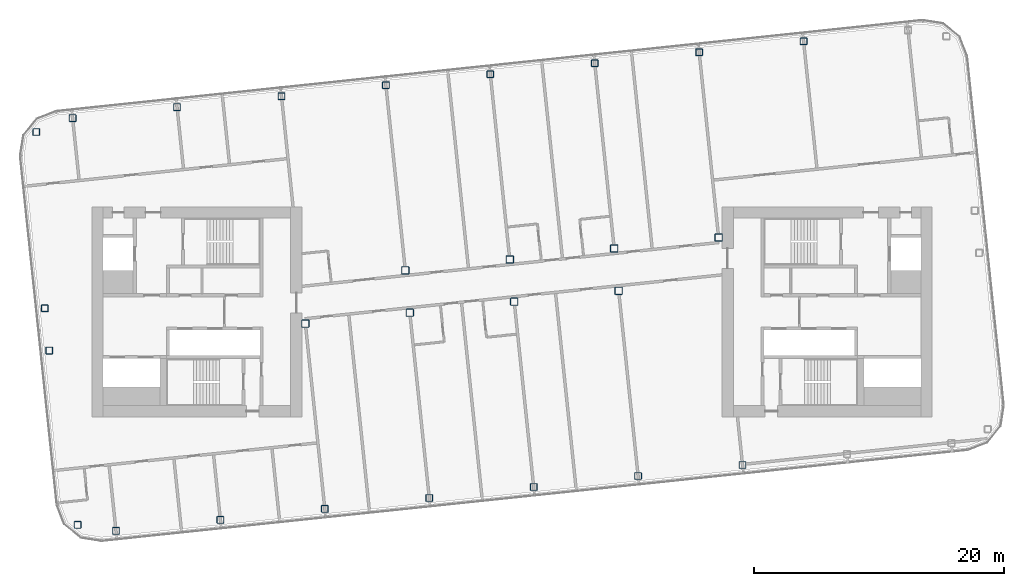
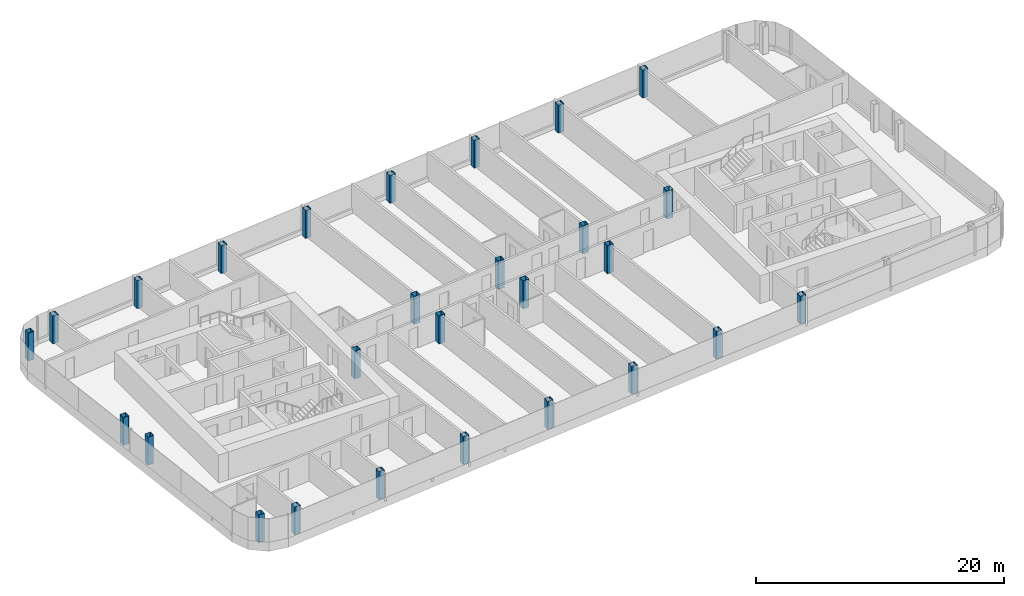
# One storey, part 1 of 27: 27 columns.
"""IFC4 building model written with IfcOpenShell, lengths in metres."""

from ifc_helpers import new_model, si_unit, direction, frame, origin, origin_2d, place, context, subcontext, project, spatial, hollow_rectangle, extrude, material, material_profile, profile_set, type_object, element, save


model = new_model("IFC4")

# Units and contexts
model_context = context("Model", 3, precision=1e-05, world=origin(), true_north=direction((0.0, 1.0)))
body_context = subcontext(model_context, "Body", "Model", "MODEL_VIEW")
ifc_project = project(units=[si_unit("LENGTHUNIT", "METRE"), si_unit("AREAUNIT", "SQUARE_METRE"), si_unit("VOLUMEUNIT", "CUBIC_METRE"), si_unit("PLANEANGLEUNIT", "RADIAN"), si_unit("MASSUNIT", "GRAM", prefix="KILO")], contexts=[model_context])

# Site, building, storey
site_placement = place(None, origin())
site = spatial("IfcSite", under=ifc_project, at=site_placement, CompositionType="ELEMENT")
building_placement = place(site_placement, origin())
building = spatial("IfcBuilding", under=site, at=building_placement, Name="Hakoniwa Tower and Hamabe Station Hall", CompositionType="ELEMENT")
storey_placement = place(building_placement, frame((0.0, 0.0, 255.0)))
storey = spatial("IfcBuildingStorey", under=building, at=storey_placement, Name="L72", CompositionType="ELEMENT", Elevation=255.0)

# Columns
ifc_material_1 = material(Name="Steel BCP325", Category="steel")
ifc_material_profile_1 = material_profile(ifc_material_1, hollow_rectangle(XDim=0.550048828125, YDim=0.550048828125, WallThickness=0.02197265625, InnerFilletRadius=0.032958984375, OuterFilletRadius=0.054931640625, at=origin_2d()), Name="BCP-550x550x22")
ifc_profile_set_1 = profile_set([ifc_material_profile_1], Name="Steel BCP325")
column_type_1 = type_object("IfcColumnType", Name="COLUMN BCP-550x550x22", PredefinedType="COLUMN", material=ifc_profile_set_1)
for number, where, z_axis, x_axis, name in (
    (1, (-34.750732421875, -17.04248046875, 0.0), (0.0, 0.0, 1.0), (1.0, 0.0, 0.0), "Column B5-EW-A5"),
    (2, (-37.017333984375, -3.10009765625, 0.0), (0.0, 0.0, 1.0), (1.0, 0.0, 0.0), "Column B5-EW-C5"),
    (3, (-37.372802734375, 0.28125, 0.0), (0.0, 0.0, 1.0), (1.0, 0.0, 0.0), "Column B5-EW-D5"),
    (4, (-38.054443359375, 14.390380859375, 0.0), (0.0, 0.0, 1.0), (1.0, 0.0, 0.0), "Column B5-EW-F5"),
    (5, (-31.680908203125, -17.521240234375, 0.0), (0.0, 0.0, 1.0), (1.0, 0.0, 0.0), "Column B5-3-A5"),
    (6, (-35.151123046875, 15.496826171875, 0.0), (0.0, 0.0, 1.0), (1.0, 0.0, 0.0), "Column B5-3-F5"),
    (7, (-23.326904296875, -16.643310546875, 0.0), (0.0, 0.0, 1.0), (1.0, 0.0, 0.0), "Column B5-4-A5"),
    (8, (-26.797119140625, 16.375, 0.0), (0.0, 0.0, 1.0), (1.0, 0.0, 0.0), "Column B5-4-F5"),
    (9, (-14.972900390625, -15.76513671875, 0.0), (0.0, 0.0, 1.0), (1.0, 0.0, 0.0), "Column B5-5-A5"),
    (10, (-18.443115234375, 17.2529296875, 0.0), (0.0, 0.0, 1.0), (1.0, 0.0, 0.0), "Column B5-5-F5"),
    (11, (-6.618896484375, -14.88720703125, 0.0), (0.0, 0.0, 1.0), (1.0, 0.0, 0.0), "Column B5-6-A5"),
    (12, (-10.089111328125, 18.131103515625, 0.0), (0.0, 0.0, 1.0), (1.0, 0.0, 0.0), "Column B5-6-F5"),
    (13, (1.735107421875, -14.009033203125, 0.0), (0.0, 0.0, 1.0), (1.0, 0.0, 0.0), "Column B5-7-A5"),
    (14, (-1.735107421875, 19.009033203125, 0.0), (0.0, 0.0, 1.0), (1.0, 0.0, 0.0), "Column B5-7-F5"),
    (15, (10.089111328125, -13.131103515625, 0.0), (0.0, 0.0, 1.0), (1.0, 0.0, 0.0), "Column B5-8-A5"),
    (16, (6.618896484375, 19.88720703125, 0.0), (0.0, 0.0, 1.0), (1.0, 0.0, 0.0), "Column B5-8-F5"),
    (17, (18.443115234375, -12.2529296875, 0.0), (0.0, 0.0, 1.0), (1.0, 0.0, 0.0), "Column B5-9-A5"),
    (18, (14.972900390625, 20.76513671875, 0.0), (0.0, 0.0, 1.0), (1.0, 0.0, 0.0), "Column B5-9-F5"),
    (19, (23.326904296875, 21.643310546875, 0.0), (0.0, 0.0, 1.0), (1.0, 0.0, 0.0), "Column B5-10-F5"),
):
    element("IfcColumn", number, at=place(storey_placement, frame(where, z_axis=z_axis, x_axis=x_axis)), inside=storey, type_object=column_type_1, Name=name, PredefinedType="COLUMN", context=body_context, shape_type="SweptSolid", body=[
        extrude(hollow_rectangle(XDim=0.550048828125, YDim=0.550048828125, WallThickness=0.02197265625, InnerFilletRadius=0.032958984375, OuterFilletRadius=0.054931640625, at=origin_2d()), origin(), (0.0, 0.0, 1.0), 2.75),
    ])
ifc_material_2 = material(Name="Steel BCP325", Category="steel")
ifc_material_profile_2 = material_profile(ifc_material_2, hollow_rectangle(XDim=0.60009765625, YDim=0.60009765625, WallThickness=0.02490234375, InnerFilletRadius=0.03759765625, OuterFilletRadius=0.0625, at=origin_2d()), Name="BCP-600x600x25")
ifc_profile_set_2 = profile_set([ifc_material_profile_2], Name="Steel BCP325")
column_type_2 = type_object("IfcColumnType", Name="COLUMN BCP-600x600x25", PredefinedType="COLUMN", material=ifc_profile_set_2)
for number, where, z_axis, x_axis, name in (
    (20, (-16.5302734375, -0.94677734375, 0.0), (0.0, 0.0, 1.0), (1.0, 0.0, 0.0), "Column B5-5-C5"),
    (21, (-8.17626953125, -0.068603515625, 0.0), (0.0, 0.0, 1.0), (1.0, 0.0, 0.0), "Column B5-6-C5"),
    (22, (-8.53173828125, 3.3125, 0.0), (0.0, 0.0, 1.0), (1.0, 0.0, 0.0), "Column B5-6-D5"),
    (23, (0.177734375, 0.809326171875, 0.0), (0.0, 0.0, 1.0), (1.0, 0.0, 0.0), "Column B5-7-C5"),
    (24, (-0.177734375, 4.190673828125, 0.0), (0.0, 0.0, 1.0), (1.0, 0.0, 0.0), "Column B5-7-D5"),
    (25, (8.53173828125, 1.6875, 0.0), (0.0, 0.0, 1.0), (1.0, 0.0, 0.0), "Column B5-8-C5"),
    (26, (8.17626953125, 5.068603515625, 0.0), (0.0, 0.0, 1.0), (1.0, 0.0, 0.0), "Column B5-8-D5"),
    (27, (16.5302734375, 5.94677734375, 0.0), (0.0, 0.0, 1.0), (1.0, 0.0, 0.0), "Column B5-9-D5"),
):
    element("IfcColumn", number, at=place(storey_placement, frame(where, z_axis=z_axis, x_axis=x_axis)), inside=storey, type_object=column_type_2, Name=name, PredefinedType="COLUMN", context=body_context, shape_type="SweptSolid", body=[
        extrude(hollow_rectangle(XDim=0.60009765625, YDim=0.60009765625, WallThickness=0.02490234375, InnerFilletRadius=0.03759765625, OuterFilletRadius=0.0625, at=origin_2d()), origin(), (0.0, 0.0, 1.0), 2.75),
    ])

save(model, "model.ifc")
